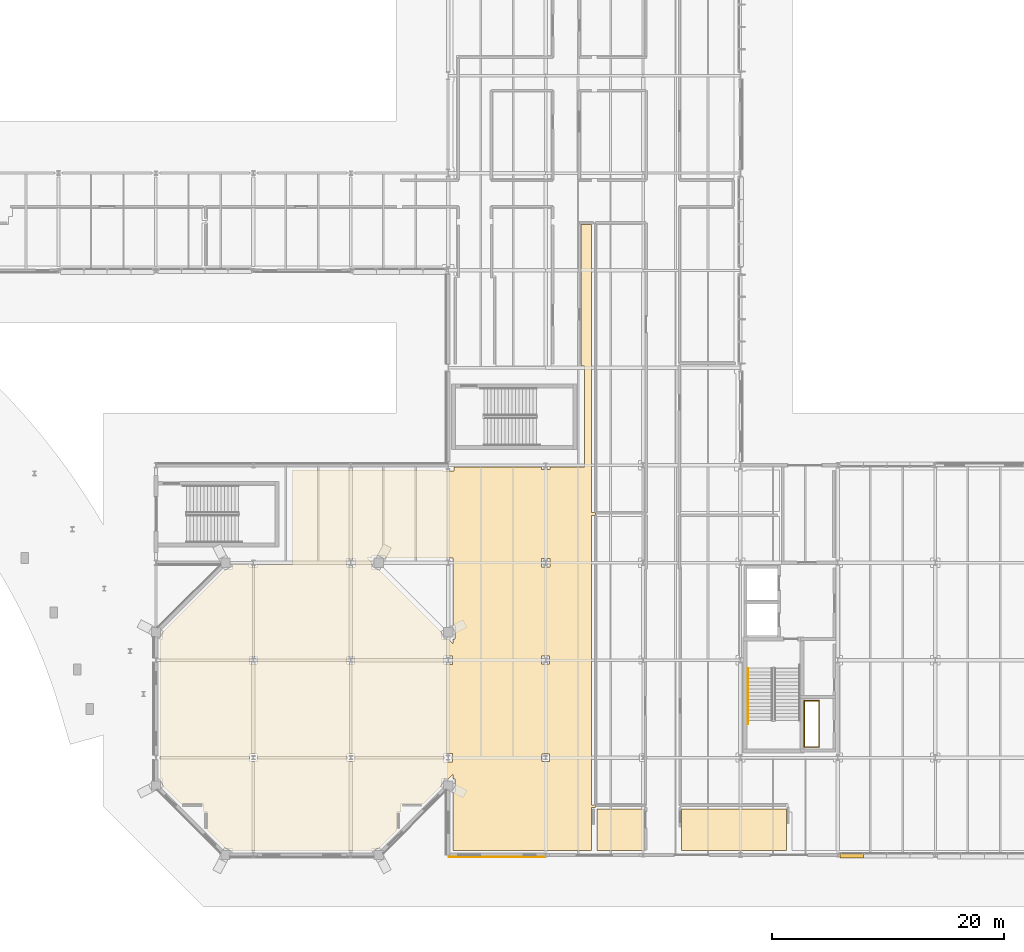
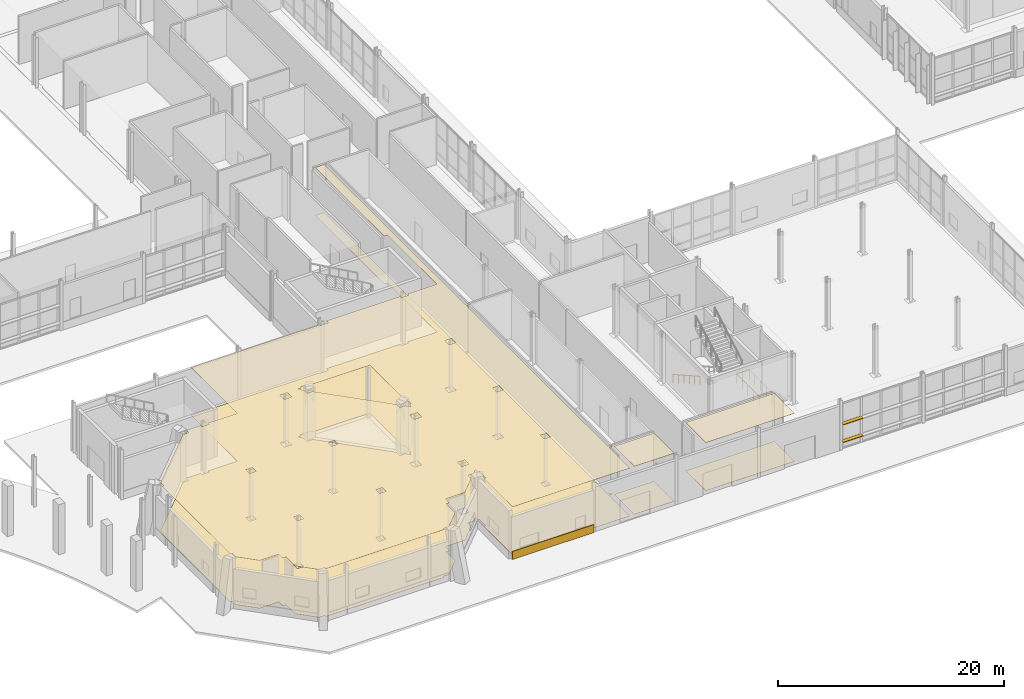
# One storey, part 101 of 124: 7 coverings, 2 railings, 2 shading devices.
"""IFC4 building model written with IfcOpenShell, lengths in metres."""

from ifc_helpers import new_model, si_unit, direction, frame, origin, origin_2d, place, context, subcontext, project, spatial, polyline, rectangle, circle, outline, extrude, material, layer, layer_set, type_object, element, save


model = new_model("IFC4")

# Units and contexts
model_context = context("Model", 3, precision=1e-05, world=origin(), true_north=direction((0.0, 1.0)))
body_context = subcontext(model_context, "Body", "Model", "MODEL_VIEW")
ifc_project = project(units=[si_unit("LENGTHUNIT", "METRE"), si_unit("AREAUNIT", "SQUARE_METRE"), si_unit("VOLUMEUNIT", "CUBIC_METRE"), si_unit("PLANEANGLEUNIT", "RADIAN"), si_unit("MASSUNIT", "GRAM", prefix="KILO")], contexts=[model_context])

# Site, building, storey
site_placement = place(None, origin())
site = spatial("IfcSite", under=ifc_project, at=site_placement, CompositionType="ELEMENT")
building_placement = place(site_placement, origin())
building = spatial("IfcBuilding", under=site, at=building_placement, Name="Mersafa Astral City Hall", CompositionType="ELEMENT")
storey_placement = place(building_placement, origin())
storey = spatial("IfcBuildingStorey", under=building, at=storey_placement, Name="L00", CompositionType="ELEMENT", Elevation=0.0)

# Covering
ifc_material_1 = material(Name="Cairo Mokattam buff limestone cladding", Category="masonry")
ifc_layer_1 = layer(ifc_material_1, 0.06005859375, Name="Cairo Mokattam buff limestone cladding")
ifc_layer_set_1 = layer_set([ifc_layer_1], Name="Cairo Mokattam buff limestone cladding — ENV-COV-LIMESTONE-60")
covering_type_1 = type_object("IfcCoveringType", Name="ENV-COV-LIMESTONE-60", PredefinedType="CLADDING", material=ifc_layer_set_1)
covering_1_placement = place(storey_placement, frame((96.595947265625, -0.177001953125, 0.0), z_axis=(0.0, 0.0, 1.0), x_axis=(1.0, 0.0, 0.0)))
element("IfcCovering", 1, at=covering_1_placement, inside=storey, type_object=covering_type_1, Name="L00 Cairo buff limestone rainscreen cladding 12", PredefinedType="CLADDING", context=body_context, shape_type="SweptSolid", body=[
    extrude(rectangle(XDim=8.33203125, YDim=0.06005859375, at=origin_2d()), origin(), (0.0, 0.0, 1.0), 0.860107421875),
])

# Shading devices
ifc_material_2 = material(Name="Kiln-dried cedar timber brise-soleil blade", Category="wood")
shading_device_type = type_object("IfcShadingDeviceType", Name="ENV-SHD-LOUVRE-380", PredefinedType="JALOUSIE", material=ifc_material_2)
for number, where, z_axis, x_axis, name in (
    (2, (127.1865234375, -0.080078125, 0.81494140625), (0.0, 0.0, 1.0), (1.0, 0.0, 0.0), "L00 Horizontal cedar brise-soleil louvre 1"),
    (3, (127.1865234375, -0.080078125, 2.71484375), (0.0, 0.0, 1.0), (1.0, 0.0, 0.0), "L00 Horizontal cedar brise-soleil louvre 5"),
):
    element("IfcShadingDevice", number, at=place(storey_placement, frame(where, z_axis=z_axis, x_axis=x_axis)), inside=storey, type_object=shading_device_type, Name=name, PredefinedType="JALOUSIE", context=body_context, shape_type="SweptSolid", body=[
        extrude(rectangle(XDim=2.029052734375, YDim=0.3798828125, at=origin_2d()), origin(), (0.0, 0.0, 1.0), 0.070068359375),
    ])

# Railings
ifc_material_3 = material(Name="Painted architectural steel stair guard balustrade", Category="steel")
railing_type_1 = type_object("IfcRailingType", Name="GUARD-RAIL", PredefinedType="BALUSTRADE", material=ifc_material_3)
railing_1_placement = place(storey_placement, frame((123.10009765625, 9.300048828125, 0.0)))
element("IfcRailing", 4, at=railing_1_placement, inside=storey, type_object=railing_type_1, Name="L00 K5 MEP Riser Shaft Guard", PredefinedType="BALUSTRADE", context=body_context, shape_type="SweptSolid", body=[
    extrude(circle(Radius=0.02392578125, at=origin_2d()), frame((0.0, 0.0, 1.09619140625), z_axis=(1.0, 0.0, 0.0), x_axis=(0.0, 1.0, 0.0)), (0.0, 0.0, 1.0), 1.27978515625),
    extrude(circle(Radius=0.02392578125, at=origin_2d()), frame((1.27978515625, 0.0, 1.09619140625), z_axis=(0.0, 1.0, 0.0), x_axis=(-1.0, 0.0, 0.0)), (0.0, 0.0, 1.0), 4.0),
    extrude(circle(Radius=0.02392578125, at=origin_2d()), frame((1.27978515625, 4.0, 1.09619140625), z_axis=(-1.0, 0.0, 0.0), x_axis=(0.0, -1.0, 0.0)), (0.0, 0.0, 1.0), 1.27978515625),
    extrude(circle(Radius=0.02392578125, at=origin_2d()), frame((0.0, 4.0, 1.09619140625), z_axis=(0.0, -1.0, 0.0), x_axis=(1.0, 0.0, 0.0)), (0.0, 0.0, 1.0), 4.0),
    extrude(circle(Radius=0.02099609375, at=origin_2d()), origin(), (0.0, 0.0, 1.0), 1.072021484375),
    extrude(circle(Radius=0.02099609375, at=origin_2d()), frame((0.639892578125, 0.0, 0.0)), (0.0, 0.0, 1.0), 1.072021484375),
    extrude(circle(Radius=0.02099609375, at=origin_2d()), frame((1.27978515625, 0.0, 0.0)), (0.0, 0.0, 1.0), 1.072021484375),
    extrude(circle(Radius=0.02099609375, at=origin_2d()), frame((1.27978515625, 1.0, 0.0)), (0.0, 0.0, 1.0), 1.072021484375),
    extrude(circle(Radius=0.02099609375, at=origin_2d()), frame((1.27978515625, 2.0, 0.0)), (0.0, 0.0, 1.0), 1.072021484375),
    extrude(circle(Radius=0.02099609375, at=origin_2d()), frame((1.27978515625, 3.0, 0.0)), (0.0, 0.0, 1.0), 1.072021484375),
    extrude(circle(Radius=0.02099609375, at=origin_2d()), frame((1.27978515625, 4.0, 0.0)), (0.0, 0.0, 1.0), 1.072021484375),
    extrude(circle(Radius=0.02099609375, at=origin_2d()), frame((0.639892578125, 4.0, 0.0)), (0.0, 0.0, 1.0), 1.072021484375),
    extrude(circle(Radius=0.02099609375, at=origin_2d()), frame((0.0, 4.0, 0.0)), (0.0, 0.0, 1.0), 1.072021484375),
    extrude(circle(Radius=0.02099609375, at=origin_2d()), frame((0.0, 3.0, 0.0)), (0.0, 0.0, 1.0), 1.072021484375),
    extrude(circle(Radius=0.02099609375, at=origin_2d()), frame((0.0, 2.0, 0.0)), (0.0, 0.0, 1.0), 1.072021484375),
    extrude(circle(Radius=0.02099609375, at=origin_2d()), frame((0.0, 1.0, 0.0)), (0.0, 0.0, 1.0), 1.072021484375),
])
ifc_material_4 = material(Name="Brushed stainless steel tubular handrail", Category="steel")
railing_type_2 = type_object("IfcRailingType", Name="HANDRAIL", PredefinedType="HANDRAIL", material=ifc_material_4)
railing_2_placement = place(storey_placement, frame((118.22998046875, 16.10009765625, 0.168701171875)))
element("IfcRailing", 5, at=railing_2_placement, inside=storey, type_object=railing_type_2, Name="L00 ST5 stair handrail 1", PredefinedType="HANDRAIL", context=body_context, shape_type="SweptSolid", body=[
    extrude(circle(Radius=0.02392578125, at=origin_2d()), frame((0.0, 0.0, 0.8759765625), z_axis=(0.0, -0.871335168691, 0.49068831635), x_axis=(1.0, 0.0, 0.0)), (0.0, 0.0, 1.0), 5.5087890625),
    extrude(circle(Radius=0.02099609375, at=origin_2d()), origin(), (0.0, 0.0, 1.0), 0.851806640625),
    extrude(circle(Radius=0.02099609375, at=origin_2d()), frame((0.0, -0.9599609375, 0.54052734375)), (0.0, 0.0, 1.0), 0.851806640625),
    extrude(circle(Radius=0.02099609375, at=origin_2d()), frame((0.0, -1.919921875, 1.081298828125)), (0.0, 0.0, 1.0), 0.851806640625),
    extrude(circle(Radius=0.02099609375, at=origin_2d()), frame((0.0, -2.880126953125, 1.621826171875)), (0.0, 0.0, 1.0), 0.851806640625),
    extrude(circle(Radius=0.02099609375, at=origin_2d()), frame((0.0, -3.840087890625, 2.16259765625)), (0.0, 0.0, 1.0), 0.851806640625),
    extrude(circle(Radius=0.02099609375, at=origin_2d()), frame((0.0, -4.800048828125, 2.703125)), (0.0, 0.0, 1.0), 0.851806640625),
])

# Coverings
ifc_material_5 = material(Name="Perforated acoustic gypsum board ceiling", Category="gypsum")
ifc_layer_2 = layer(ifc_material_5, 0.02490234375, Name="Perforated acoustic gypsum board ceiling")
ifc_layer_set_2 = layer_set([ifc_layer_2], Name="Perforated acoustic gypsum board ceiling — INT-COV-CEIL-25")
covering_type_2 = type_object("IfcCoveringType", Name="INT-COV-CEIL-25", PredefinedType="CEILING", material=ifc_layer_set_2)
covering_2_placement = place(storey_placement, frame((0.0, 0.0, 5.156005859375)))
element("IfcCovering", 6, at=covering_2_placement, inside=storey, type_object=covering_type_2, Name="L00 Citizens Service Centre L00-11 acoustic ceiling", PredefinedType="CEILING", context=body_context, shape_type="SweptSolid", body=[
    extrude(outline(polyline([(87.969970703125, 3.72998046875), (87.969970703125, 2.1357421875), (86.404296875, 0.570068359375), (85.830078125, 0.570068359375), (85.830078125, 0.39990234375), (73.77001953125, 0.39990234375), (73.77001953125, 0.570068359375), (73.19580078125, 0.570068359375), (71.6298828125, 2.1357421875), (71.6298828125, 3.72998046875), (71.280029296875, 3.72998046875), (71.280029296875, 4.429931640625), (69.335693359375, 4.429931640625), (67.77001953125, 5.99560546875), (67.77001953125, 6.570068359375), (67.60009765625, 6.570068359375), (67.60009765625, 18.6298828125), (67.77001953125, 18.6298828125), (67.77001953125, 19.204345703125), (71.239013671875, 22.67333984375), (71.759033203125, 23.193359375), (73.19580078125, 24.6298828125), (73.77001953125, 24.6298828125), (73.77001953125, 25.0400390625), (75.22998046875, 25.0400390625), (75.22998046875, 24.830078125), (75.969970703125, 24.830078125), (75.969970703125, 25.0400390625), (78.9599609375, 25.0400390625), (78.9599609375, 33.199951171875), (91.905029296875, 33.199951171875), (91.905029296875, 33.10498046875), (92.89501953125, 33.10498046875), (92.89501953125, 33.43994140625), (100.429931640625, 33.43994140625), (100.429931640625, 33.22998046875), (101.169921875, 33.22998046875), (101.169921875, 33.43994140625), (104.159912109375, 33.43994140625), (104.159912109375, 42.159912109375), (103.840087890625, 42.159912109375), (103.840087890625, 54.3701171875), (104.77001953125, 54.3701171875), (104.77001953125, 29.52001953125), (105.1201171875, 29.52001953125), (105.1201171875, 29.280029296875), (104.77001953125, 29.280029296875), (104.77001953125, 4.320068359375), (105.1201171875, 4.320068359375), (105.1201171875, 4.080078125), (104.77001953125, 4.080078125), (104.77001953125, 0.39990234375), (92.800048828125, 0.39990234375), (92.800048828125, 5.429931640625), (92.969970703125, 5.429931640625), (92.969970703125, 6.570068359375), (92.800048828125, 6.570068359375), (92.800048828125, 6.9658203125), (92.404296875, 6.570068359375), (91.830078125, 6.570068359375), (91.830078125, 5.99560546875), (90.264404296875, 4.429931640625), (88.320068359375, 4.429931640625), (88.320068359375, 3.72998046875), (87.969970703125, 3.72998046875)]), holes=[polyline([(100.429931640625, 24.830078125), (101.169921875, 24.830078125), (101.169921875, 25.570068359375), (100.429931640625, 25.570068359375), (100.429931640625, 24.830078125)]), polyline([(100.449951171875, 16.449951171875), (101.14990234375, 16.449951171875), (101.14990234375, 17.14990234375), (100.449951171875, 17.14990234375), (100.449951171875, 16.449951171875)]), polyline([(101.1201171875, 8.080078125), (101.1201171875, 8.719970703125), (100.47998046875, 8.719970703125), (100.47998046875, 8.080078125), (101.1201171875, 8.080078125)]), polyline([(86.969970703125, 25.77001953125), (85.830078125, 25.77001953125), (85.830078125, 25.60009765625), (85.434326171875, 25.60009765625), (85.830078125, 25.204345703125), (85.830078125, 24.6298828125), (86.404296875, 24.6298828125), (87.841064453125, 23.193359375), (88.361083984375, 22.67333984375), (91.830078125, 19.204345703125), (91.830078125, 18.6298828125), (92.404296875, 18.6298828125), (92.800048828125, 18.234375), (92.800048828125, 18.6298828125), (92.969970703125, 18.6298828125), (92.969970703125, 19.77001953125), (92.800048828125, 19.77001953125), (92.800048828125, 25.60009765625), (86.969970703125, 25.60009765625), (86.969970703125, 25.77001953125)]), polyline([(92.030029296875, 8.030029296875), (92.77001953125, 8.030029296875), (92.77001953125, 8.77001953125), (92.030029296875, 8.77001953125), (92.030029296875, 8.030029296875)]), polyline([(92.030029296875, 16.429931640625), (92.77001953125, 16.429931640625), (92.77001953125, 17.169921875), (92.030029296875, 17.169921875), (92.030029296875, 16.429931640625)]), polyline([(83.6298828125, 24.830078125), (84.3701171875, 24.830078125), (84.3701171875, 25.570068359375), (83.6298828125, 25.570068359375), (83.6298828125, 24.830078125)]), polyline([(83.679931640625, 8.080078125), (84.320068359375, 8.080078125), (84.320068359375, 8.719970703125), (83.679931640625, 8.719970703125), (83.679931640625, 8.080078125)]), polyline([(83.679931640625, 16.47998046875), (84.320068359375, 16.47998046875), (84.320068359375, 17.1201171875), (83.679931640625, 17.1201171875), (83.679931640625, 16.47998046875)]), polyline([(75.280029296875, 8.080078125), (75.919921875, 8.080078125), (75.919921875, 8.719970703125), (75.280029296875, 8.719970703125), (75.280029296875, 8.080078125)]), polyline([(75.280029296875, 16.47998046875), (75.919921875, 16.47998046875), (75.919921875, 17.1201171875), (75.280029296875, 17.1201171875), (75.280029296875, 16.47998046875)])]), origin(), (0.0, 0.0, 1.0), 0.02490234375),
])
covering_3_placement = place(storey_placement, frame((0.0, 0.0, 5.180908203125)))
element("IfcCovering", 7, at=covering_3_placement, inside=storey, type_object=covering_type_2, Name="L00 Public Information & Wayfinding Salon L00-27 acoustic ceiling", PredefinedType="CEILING", context=body_context, shape_type="SweptSolid", body=[
    extrude(outline(polyline([(121.570068359375, 3.969970703125), (121.570068359375, 0.39990234375), (112.52001953125, 0.39990234375), (112.52001953125, 3.969970703125), (121.570068359375, 3.969970703125)])), origin(), (0.0, 0.0, 1.0), 0.025146484375),
])
ifc_material_6 = material(Name="Slatted cedar timber acoustic baffle ceiling", Category="wood")
ifc_layer_3 = layer(ifc_material_6, 0.034912109375, Name="Slatted cedar timber acoustic baffle ceiling")
ifc_layer_set_3 = layer_set([ifc_layer_3], Name="Slatted cedar timber acoustic baffle ceiling — INT-COV-CEIL-35")
covering_type_3 = type_object("IfcCoveringType", Name="INT-COV-CEIL-35", PredefinedType="CEILING", material=ifc_layer_set_3)
covering_4_placement = place(storey_placement, frame((0.0, 0.0, 5.1708984375)))
element("IfcCovering", 8, at=covering_4_placement, inside=storey, type_object=covering_type_3, Name="L00 Civil Registry Reception Hall L00-35 acoustic ceiling", PredefinedType="CEILING", context=body_context, shape_type="SweptSolid", body=[
    extrude(outline(polyline([(105.22998046875, 3.969970703125), (109.280029296875, 3.969970703125), (109.280029296875, 0.39990234375), (105.22998046875, 0.39990234375), (105.22998046875, 3.969970703125)])), origin(), (0.0, 0.0, 1.0), 0.03515625),
])
ifc_material_7 = material(Name="Honed Cairo limestone terrazzo flooring", Category="masonry")
ifc_layer_4 = layer(ifc_material_7, 0.02001953125, Name="Honed Cairo limestone terrazzo flooring")
ifc_layer_set_4 = layer_set([ifc_layer_4], Name="Honed Cairo limestone terrazzo flooring — INT-COV-FLR-20")
covering_type_4 = type_object("IfcCoveringType", Name="INT-COV-FLR-20", PredefinedType="FLOORING", material=ifc_layer_set_4)
covering_5_placement = place(storey_placement, frame((0.0, 0.0, -0.00146484375)))
element("IfcCovering", 9, at=covering_5_placement, inside=storey, type_object=covering_type_4, Name="L00 Citizens Service Centre L00-11 architectural flooring", PredefinedType="FLOORING", context=body_context, shape_type="SweptSolid", body=[
    extrude(outline(polyline([(87.969970703125, 3.72998046875), (87.969970703125, 2.1357421875), (86.404296875, 0.570068359375), (85.830078125, 0.570068359375), (85.830078125, 0.39990234375), (73.77001953125, 0.39990234375), (73.77001953125, 0.570068359375), (73.19580078125, 0.570068359375), (71.6298828125, 2.1357421875), (71.6298828125, 3.72998046875), (71.280029296875, 3.72998046875), (71.280029296875, 4.429931640625), (69.335693359375, 4.429931640625), (67.77001953125, 5.99560546875), (67.77001953125, 6.570068359375), (67.60009765625, 6.570068359375), (67.60009765625, 18.6298828125), (67.77001953125, 18.6298828125), (67.77001953125, 19.204345703125), (71.239013671875, 22.67333984375), (71.759033203125, 23.193359375), (73.19580078125, 24.6298828125), (73.77001953125, 24.6298828125), (73.77001953125, 25.0400390625), (75.22998046875, 25.0400390625), (75.22998046875, 24.830078125), (75.969970703125, 24.830078125), (75.969970703125, 25.0400390625), (78.9599609375, 25.0400390625), (78.9599609375, 33.199951171875), (91.905029296875, 33.199951171875), (91.905029296875, 33.10498046875), (92.89501953125, 33.10498046875), (92.89501953125, 33.43994140625), (100.429931640625, 33.43994140625), (100.429931640625, 33.22998046875), (101.169921875, 33.22998046875), (101.169921875, 33.43994140625), (104.159912109375, 33.43994140625), (104.159912109375, 42.159912109375), (103.840087890625, 42.159912109375), (103.840087890625, 54.3701171875), (104.77001953125, 54.3701171875), (104.77001953125, 29.52001953125), (105.1201171875, 29.52001953125), (105.1201171875, 29.280029296875), (104.77001953125, 29.280029296875), (104.77001953125, 4.320068359375), (105.1201171875, 4.320068359375), (105.1201171875, 4.080078125), (104.77001953125, 4.080078125), (104.77001953125, 0.39990234375), (92.800048828125, 0.39990234375), (92.800048828125, 5.429931640625), (92.969970703125, 5.429931640625), (92.969970703125, 6.570068359375), (92.800048828125, 6.570068359375), (92.800048828125, 6.9658203125), (92.404296875, 6.570068359375), (91.830078125, 6.570068359375), (91.830078125, 5.99560546875), (90.264404296875, 4.429931640625), (88.320068359375, 4.429931640625), (88.320068359375, 3.72998046875), (87.969970703125, 3.72998046875)]), holes=[polyline([(100.429931640625, 24.830078125), (101.169921875, 24.830078125), (101.169921875, 25.570068359375), (100.429931640625, 25.570068359375), (100.429931640625, 24.830078125)]), polyline([(100.449951171875, 16.449951171875), (101.14990234375, 16.449951171875), (101.14990234375, 17.14990234375), (100.449951171875, 17.14990234375), (100.449951171875, 16.449951171875)]), polyline([(101.1201171875, 8.080078125), (101.1201171875, 8.719970703125), (100.47998046875, 8.719970703125), (100.47998046875, 8.080078125), (101.1201171875, 8.080078125)]), polyline([(86.969970703125, 25.77001953125), (85.830078125, 25.77001953125), (85.830078125, 25.60009765625), (85.434326171875, 25.60009765625), (85.830078125, 25.204345703125), (85.830078125, 24.6298828125), (86.404296875, 24.6298828125), (87.841064453125, 23.193359375), (88.361083984375, 22.67333984375), (91.830078125, 19.204345703125), (91.830078125, 18.6298828125), (92.404296875, 18.6298828125), (92.800048828125, 18.234375), (92.800048828125, 18.6298828125), (92.969970703125, 18.6298828125), (92.969970703125, 19.77001953125), (92.800048828125, 19.77001953125), (92.800048828125, 25.60009765625), (86.969970703125, 25.60009765625), (86.969970703125, 25.77001953125)]), polyline([(92.030029296875, 8.030029296875), (92.77001953125, 8.030029296875), (92.77001953125, 8.77001953125), (92.030029296875, 8.77001953125), (92.030029296875, 8.030029296875)]), polyline([(92.030029296875, 16.429931640625), (92.77001953125, 16.429931640625), (92.77001953125, 17.169921875), (92.030029296875, 17.169921875), (92.030029296875, 16.429931640625)]), polyline([(83.6298828125, 24.830078125), (84.3701171875, 24.830078125), (84.3701171875, 25.570068359375), (83.6298828125, 25.570068359375), (83.6298828125, 24.830078125)]), polyline([(83.679931640625, 8.080078125), (84.320068359375, 8.080078125), (84.320068359375, 8.719970703125), (83.679931640625, 8.719970703125), (83.679931640625, 8.080078125)]), polyline([(83.679931640625, 16.47998046875), (84.320068359375, 16.47998046875), (84.320068359375, 17.1201171875), (83.679931640625, 17.1201171875), (83.679931640625, 16.47998046875)]), polyline([(75.280029296875, 8.080078125), (75.919921875, 8.080078125), (75.919921875, 8.719970703125), (75.280029296875, 8.719970703125), (75.280029296875, 8.080078125)]), polyline([(75.280029296875, 16.47998046875), (75.919921875, 16.47998046875), (75.919921875, 17.1201171875), (75.280029296875, 17.1201171875), (75.280029296875, 16.47998046875)])]), origin(), (0.0, 0.0, 1.0), 0.02001953125),
])
covering_6_placement = place(storey_placement, frame((0.0, 0.0, -0.00146484375)))
element("IfcCovering", 10, at=covering_6_placement, inside=storey, type_object=covering_type_4, Name="L00 Public Information & Wayfinding Salon L00-27 architectural flooring", PredefinedType="FLOORING", context=body_context, shape_type="SweptSolid", body=[
    extrude(outline(polyline([(121.570068359375, 3.969970703125), (121.570068359375, 0.39990234375), (112.52001953125, 0.39990234375), (112.52001953125, 3.969970703125), (121.570068359375, 3.969970703125)])), origin(), (0.0, 0.0, 1.0), 0.02001953125),
])
covering_7_placement = place(storey_placement, frame((0.0, 0.0, -0.00146484375)))
element("IfcCovering", 11, at=covering_7_placement, inside=storey, type_object=covering_type_4, Name="L00 Civil Registry Reception Hall L00-35 architectural flooring", PredefinedType="FLOORING", context=body_context, shape_type="SweptSolid", body=[
    extrude(outline(polyline([(105.22998046875, 3.969970703125), (109.280029296875, 3.969970703125), (109.280029296875, 0.39990234375), (105.22998046875, 0.39990234375), (105.22998046875, 3.969970703125)])), origin(), (0.0, 0.0, 1.0), 0.02001953125),
])

save(model, "model.ifc")
